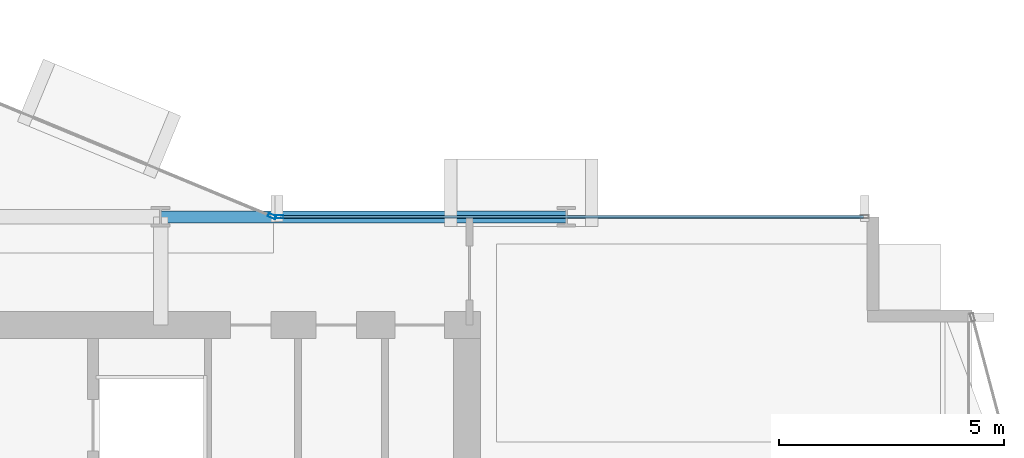
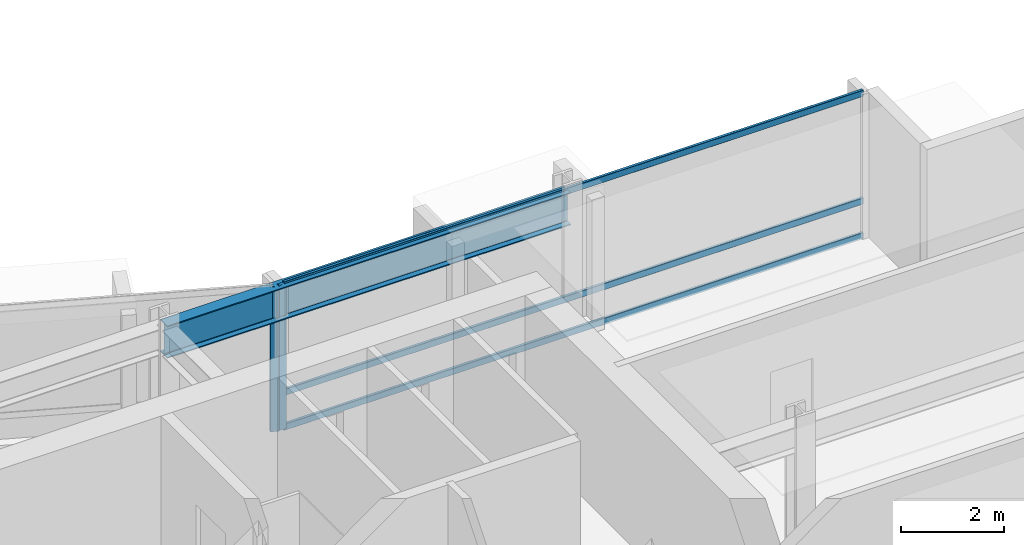
# One storey, part 13 of 29: 5 members, 1 beam, 2 elements without a shape of their own.
"""IFC4 building model written with IfcOpenShell, lengths in metres."""

from ifc_helpers import new_model, si_unit, direction, frame, origin, origin_2d, place, context, subcontext, project, spatial, hollow_rectangle, i_section, extrude, material, layer, layer_set, material_profile, profile_set, type_object, element, aggregate, save


model = new_model("IFC4")

# Units and contexts
model_context = context("Model", 3, precision=1e-05, world=origin(), true_north=direction((0.0, 1.0)))
body_context = subcontext(model_context, "Body", "Model", "MODEL_VIEW")
ifc_project = project(units=[si_unit("LENGTHUNIT", "METRE"), si_unit("AREAUNIT", "SQUARE_METRE"), si_unit("VOLUMEUNIT", "CUBIC_METRE"), si_unit("PLANEANGLEUNIT", "RADIAN"), si_unit("MASSUNIT", "GRAM", prefix="KILO")], contexts=[model_context])

# Site, building, storey
site_placement = place(None, origin())
site = spatial("IfcSite", under=ifc_project, at=site_placement, CompositionType="ELEMENT")
building_placement = place(site_placement, origin())
building = spatial("IfcBuilding", under=site, at=building_placement, Name="Solvaryn Broadcast Tower", CompositionType="ELEMENT")
storey_placement = place(building_placement, frame((0.0, 0.0, 113.699951171875)))
storey = spatial("IfcBuildingStorey", under=building, at=storey_placement, Name="L27", CompositionType="ELEMENT", Elevation=113.699951171875)

# Beam
ifc_material_1 = material(Name="Steel ASTM A992 Grade 50", Category="steel")
ifc_material_profile_1 = material_profile(ifc_material_1, i_section(OverallWidth=0.26708984375, OverallDepth=0.76611328125, WebThickness=0.014892578125, FlangeThickness=0.023681640625, FilletRadius=0.01806640625, at=origin_2d()))
ifc_profile_set_1 = profile_set([ifc_material_profile_1], Name="Steel ASTM A992 Grade 50")
beam_type = type_object("IfcBeamType", Name="BM-SP2-W30X124", PredefinedType="USERDEFINED", material=ifc_profile_set_1)
beam_placement = place(storey_placement, frame((36.0, 27.0, 3.037109375), z_axis=(1.0, 0.0, 0.0), x_axis=(0.0, 1.0, 0.0)))
element("IfcBeam", 1, at=beam_placement, inside=storey, type_object=beam_type, Name="L27 Spandrel Beam X (36-45 @ Y=27)", ObjectType="SPANDREL", PredefinedType="USERDEFINED", context=body_context, shape_type="SweptSolid", body=[
    extrude(i_section(OverallWidth=0.26708984375, OverallDepth=0.76611328125, WebThickness=0.014892578125, FlangeThickness=0.023681640625, FilletRadius=0.01806640625, at=origin_2d()), origin(), (0.0, 0.0, 1.0), 9.0),
])

# Curtain wall, member
ifc_material_2 = material(Name="Aluminium and Terracotta Unitised Curtain Wall", Category="masonry")
ifc_layer = layer(ifc_material_2, 0.199951171875)
ifc_layer_set = layer_set([ifc_layer], Name="CW-SYS2-LOWMID")
curtain_wall_type = type_object("IfcCurtainWallType", Name="CW-SYS2-LOWMID", PredefinedType="NOTDEFINED", material=ifc_layer_set)
curtain_wall_1_placement = place(storey_placement, origin())
curtain_wall_1 = element("IfcCurtainWall", 2, at=curtain_wall_1_placement, inside=storey, type_object=curtain_wall_type, Name="L27 Curtain Wall CN1", PredefinedType="NOTDEFINED")
ifc_material_3 = material(Name="Anodised Aluminium 6063-T6", Category="aluminium")
ifc_material_profile_2 = material_profile(ifc_material_3, hollow_rectangle(XDim=0.074951171875, YDim=0.179931640625, WallThickness=0.00390625, InnerFilletRadius=0.00390625, OuterFilletRadius=0.008056640625, at=origin_2d()))
ifc_profile_set_2 = profile_set([ifc_material_profile_2], Name="Anodised Aluminium 6063-T6")
member_type_1 = type_object("IfcMemberType", Name="CW-MUL-180", PredefinedType="MULLION", material=ifc_profile_set_2)
member_1_placement = place(storey_placement, frame((38.47216796875, 27.011474609375, 0.0), z_axis=(0.0, 0.0, 1.0), x_axis=(-0.382646127145, -0.923894983957, 0.0)))
member_1 = element("IfcMember", 3, at=member_1_placement, type_object=member_type_1, Name="CWS2 mullion 1", PredefinedType="MULLION", context=body_context, shape_type="SweptSolid", body=[
    extrude(hollow_rectangle(XDim=0.074951171875, YDim=0.179931640625, WallThickness=0.00390625, InnerFilletRadius=0.00390625, OuterFilletRadius=0.008056640625, at=origin_2d()), origin(), (0.0, 0.0, 1.0), 3.420166015625),
])
aggregate(curtain_wall_1, [member_1])

# Curtain wall, members
curtain_wall_2_placement = place(storey_placement, origin())
curtain_wall_2 = element("IfcCurtainWall", 4, at=curtain_wall_2_placement, inside=storey, type_object=curtain_wall_type, Name="L27 Curtain Wall IH", PredefinedType="NOTDEFINED")
member_2_placement = place(storey_placement, frame((38.6298828125, 27.0, 0.0), z_axis=(0.0, 0.0, 1.0), x_axis=(0.0, 1.0, 0.0)))
member_2 = element("IfcMember", 5, at=member_2_placement, type_object=member_type_1, Name="CWS2 mullion 1", PredefinedType="MULLION", context=body_context, shape_type="SweptSolid", body=[
    extrude(hollow_rectangle(XDim=0.074951171875, YDim=0.179931640625, WallThickness=0.00390625, InnerFilletRadius=0.00390625, OuterFilletRadius=0.008056640625, at=origin_2d()), origin(), (0.0, 0.0, 1.0), 3.420166015625),
])
ifc_material_4 = material(Name="Anodised Aluminium 6063-T6", Category="aluminium")
ifc_material_profile_3 = material_profile(ifc_material_4, hollow_rectangle(XDim=0.06494140625, YDim=0.14990234375, WallThickness=0.00390625, InnerFilletRadius=0.00390625, OuterFilletRadius=0.008056640625, at=origin_2d()))
ifc_profile_set_3 = profile_set([ifc_material_profile_3], Name="Anodised Aluminium 6063-T6")
member_type_2 = type_object("IfcMemberType", Name="CW-TRN-150", PredefinedType="USERDEFINED", material=ifc_profile_set_3)
member_3_placement = place(storey_placement, frame((38.659912109375, 27.0, 0.030029296875), z_axis=(1.0, 0.0, 0.0), x_axis=(0.0, 1.0, 0.0)))
member_3 = element("IfcMember", 6, at=member_3_placement, type_object=member_type_2, Name="CWS2 transom 1.1", ObjectType="TRANSOM", PredefinedType="USERDEFINED", context=body_context, shape_type="SweptSolid", body=[
    extrude(hollow_rectangle(XDim=0.06494140625, YDim=0.14990234375, WallThickness=0.00390625, InnerFilletRadius=0.00390625, OuterFilletRadius=0.008056640625, at=origin_2d()), origin(), (0.0, 0.0, 1.0), 12.93017578125),
])
member_4_placement = place(storey_placement, frame((38.659912109375, 27.0, 0.85009765625), z_axis=(1.0, 0.0, 0.0), x_axis=(0.0, 1.0, 0.0)))
member_4 = element("IfcMember", 7, at=member_4_placement, type_object=member_type_2, Name="CWS2 transom 1.2", ObjectType="TRANSOM", PredefinedType="USERDEFINED", context=body_context, shape_type="SweptSolid", body=[
    extrude(hollow_rectangle(XDim=0.06494140625, YDim=0.14990234375, WallThickness=0.00390625, InnerFilletRadius=0.00390625, OuterFilletRadius=0.008056640625, at=origin_2d()), origin(), (0.0, 0.0, 1.0), 12.93017578125),
])
member_5_placement = place(storey_placement, frame((38.659912109375, 27.0, 3.39013671875), z_axis=(1.0, 0.0, 0.0), x_axis=(0.0, 1.0, 0.0)))
member_5 = element("IfcMember", 8, at=member_5_placement, type_object=member_type_2, Name="CWS2 transom 1.3", ObjectType="TRANSOM", PredefinedType="USERDEFINED", context=body_context, shape_type="SweptSolid", body=[
    extrude(hollow_rectangle(XDim=0.06494140625, YDim=0.14990234375, WallThickness=0.00390625, InnerFilletRadius=0.00390625, OuterFilletRadius=0.008056640625, at=origin_2d()), origin(), (0.0, 0.0, 1.0), 12.93017578125),
])
aggregate(curtain_wall_2, [member_2, member_3, member_4, member_5])

save(model, "model.ifc")
